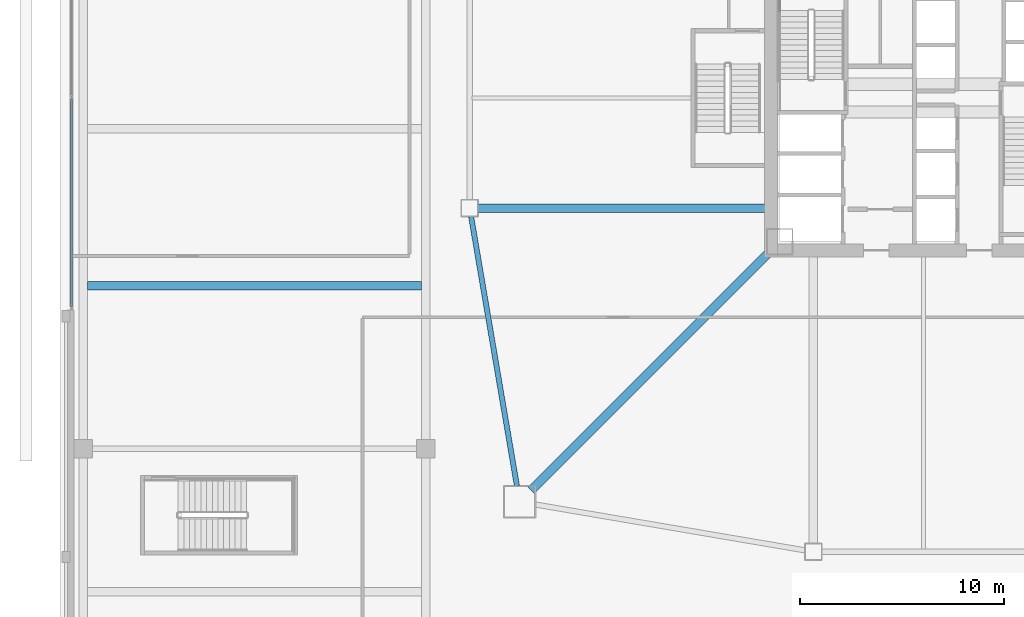
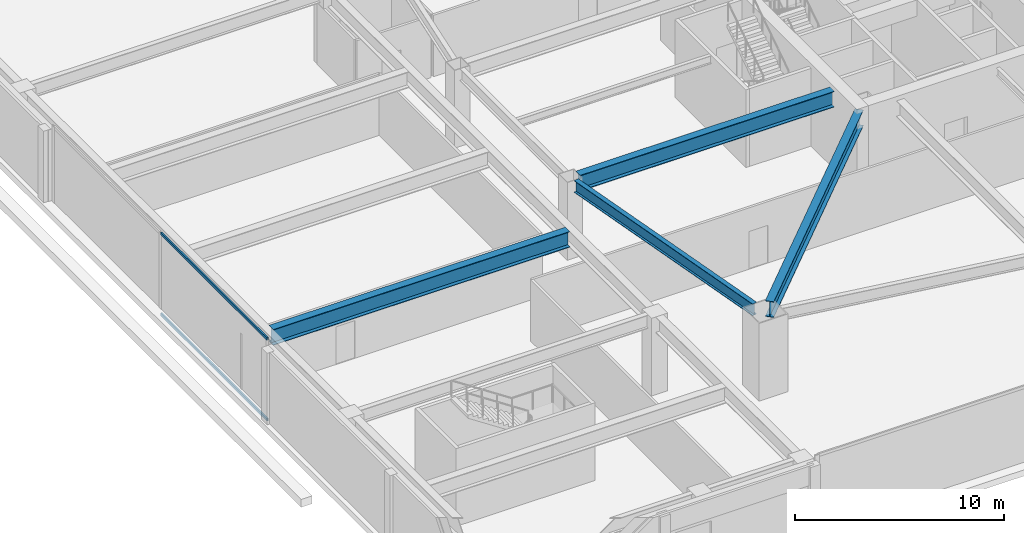
# One storey, part 9 of 44: 4 beams, 2 members, 1 element without a shape of its own.
"""IFC4 building model written with IfcOpenShell, lengths in metres."""

from ifc_helpers import new_model, si_unit, direction, frame, origin, origin_2d, place, context, subcontext, project, spatial, hollow_rectangle, i_section, extrude, material, material_profile, profile_set, type_object, element, aggregate, save


model = new_model("IFC4")

# Units and contexts
model_context = context("Model", 3, precision=1e-05, world=origin(), true_north=direction((0.0, 1.0)))
body_context = subcontext(model_context, "Body", "Model", "MODEL_VIEW")
ifc_project = project(units=[si_unit("LENGTHUNIT", "METRE"), si_unit("AREAUNIT", "SQUARE_METRE"), si_unit("VOLUMEUNIT", "CUBIC_METRE"), si_unit("PLANEANGLEUNIT", "RADIAN"), si_unit("MASSUNIT", "GRAM", prefix="KILO")], contexts=[model_context])

# Site, building, storey
site_placement = place(None, origin())
site = spatial("IfcSite", under=ifc_project, at=site_placement, CompositionType="ELEMENT")
building_placement = place(site_placement, origin())
building = spatial("IfcBuilding", under=site, at=building_placement, Name="Tashvorn Skyway Center", CompositionType="ELEMENT")
storey_placement = place(building_placement, frame((0.0, 0.0, 5.39990234375)))
storey = spatial("IfcBuildingStorey", under=building, at=storey_placement, Name="L01", CompositionType="ELEMENT", Elevation=5.39990234375)

# Beams
ifc_material_1 = material(Name="Steel ASTM A913 Grade 65", Category="steel")
ifc_material_profile_1 = material_profile(ifc_material_1, i_section(OverallWidth=0.4189453125, OverallDepth=0.927001953125, WebThickness=0.019287109375, FlangeThickness=0.031982421875, at=origin_2d()), Name="W36X231")
ifc_profile_set_1 = profile_set([ifc_material_profile_1], Name="Steel ASTM A913 Grade 65")
beam_type_1 = type_object("IfcBeamType", Name="BM-BEAM-W36X231", PredefinedType="BEAM", material=ifc_profile_set_1)
beam_1_placement = place(storey_placement, frame((22.76220703125, 12.76220703125, 4.07666015625), z_axis=(0.707106781187, 0.707106781187, 0.0), x_axis=(-0.707106781187, 0.707106781187, 0.0)))
element("IfcBeam", 1, at=beam_1_placement, inside=storey, type_object=beam_type_1, Name="Tower 1 L01 Primary Floor Girder MC-SW", PredefinedType="BEAM", context=body_context, shape_type="SweptSolid", body=[
    extrude(i_section(OverallWidth=0.4189453125, OverallDepth=0.927001953125, WebThickness=0.019287109375, FlangeThickness=0.031982421875, at=origin_2d()), origin(), (0.0, 0.0, 1.0), 16.591064453125),
])
beam_2_placement = place(storey_placement, frame((20.169921875, 26.60009765625, 4.07666015625), z_axis=(1.0, 0.0, 0.0), x_axis=(0.0, 1.0, 0.0)))
element("IfcBeam", 2, at=beam_2_placement, inside=storey, type_object=beam_type_1, Name="Tower 1 L01 Primary Floor Girder FC-W2", PredefinedType="BEAM", context=body_context, shape_type="SweptSolid", body=[
    extrude(i_section(OverallWidth=0.4189453125, OverallDepth=0.927001953125, WebThickness=0.019287109375, FlangeThickness=0.031982421875, at=origin_2d()), origin(), (0.0, 0.0, 1.0), 14.050048828125),
])
beam_3_placement = place(storey_placement, frame((1.00146484375, 22.800048828125, 4.07666015625), z_axis=(1.0, 0.0, 0.0), x_axis=(0.0, 1.0, 0.0)))
element("IfcBeam", 3, at=beam_3_placement, inside=storey, type_object=beam_type_1, Name="L01 West Auditorium Span Girder 04", PredefinedType="BEAM", context=body_context, shape_type="SweptSolid", body=[
    extrude(i_section(OverallWidth=0.4189453125, OverallDepth=0.927001953125, WebThickness=0.019287109375, FlangeThickness=0.031982421875, at=origin_2d()), origin(), (0.0, 0.0, 1.0), 16.39697265625),
])
ifc_material_2 = material(Name="Steel ASTM A992 Grade 50", Category="steel")
ifc_material_profile_2 = material_profile(ifc_material_2, i_section(OverallWidth=0.256103515625, OverallDepth=0.693115234375, WebThickness=0.014404296875, FlangeThickness=0.023681640625, at=origin_2d()), Name="W27X114")
ifc_profile_set_2 = profile_set([ifc_material_profile_2], Name="Steel ASTM A992 Grade 50")
beam_type_2 = type_object("IfcBeamType", Name="BM-SPANDREL-W27X114", PredefinedType="SPANDREL", material=ifc_profile_set_2)
beam_4_placement = place(storey_placement, frame((19.820556640625, 26.18603515625, 4.193603515625), z_axis=(0.16771792509, -0.985835025551, 0.0), x_axis=(0.985835025551, 0.16771792509, 0.0)))
element("IfcBeam", 4, at=beam_4_placement, inside=storey, type_object=beam_type_2, Name="Tower 1 L01 Spandrel Beam 12", PredefinedType="SPANDREL", context=body_context, shape_type="SweptSolid", body=[
    extrude(i_section(OverallWidth=0.256103515625, OverallDepth=0.693115234375, WebThickness=0.014404296875, FlangeThickness=0.023681640625, at=origin_2d()), origin(), (0.0, 0.0, 1.0), 13.39208984375),
])

# Curtain wall, members
ifc_material_3 = material(Name="Thermally broken bronze-anodized aluminium 6063-T6", Category="aluminium")
curtain_wall_type = type_object("IfcCurtainWallType", Name="CW-CW-Z1", PredefinedType="NOTDEFINED", material=ifc_material_3)
curtain_wall_placement = place(storey_placement, origin())
curtain_wall = element("IfcCurtainWall", 5, at=curtain_wall_placement, inside=storey, type_object=curtain_wall_type, Name="L01 West Station Hall Portal Curtain Wall", PredefinedType="NOTDEFINED")
ifc_material_profile_3 = material_profile(ifc_material_3, hollow_rectangle(XDim=0.0849609375, YDim=0.1650390625, WallThickness=0.0048828125, at=origin_2d()), Name="ALU-TRAN-85x165")
ifc_profile_set_3 = profile_set([ifc_material_profile_3], Name="Thermally broken bronze-anodized aluminium 6063-T6")
member_type = type_object("IfcMemberType", Name="CWT-CW-Z1", PredefinedType="USERDEFINED", material=ifc_profile_set_3)
member_1_placement = place(storey_placement, frame((0.219970703125, 21.784912109375, 0.04248046875), z_axis=(0.0, 1.0, 0.0), x_axis=(-1.0, 0.0, 0.0)))
member_1 = element("IfcMember", 6, at=member_1_placement, type_object=member_type, Name="CW-Z1 transom 1.1", ObjectType="TRANSOM", PredefinedType="USERDEFINED", context=body_context, shape_type="SweptSolid", body=[
    extrude(hollow_rectangle(XDim=0.0849609375, YDim=0.1650390625, WallThickness=0.0048828125, at=origin_2d()), origin(), (0.0, 0.0, 1.0), 10.172607421875),
])
member_2_placement = place(storey_placement, frame((0.219970703125, 21.784912109375, 4.757568359375), z_axis=(0.0, 1.0, 0.0), x_axis=(-1.0, 0.0, 0.0)))
member_2 = element("IfcMember", 7, at=member_2_placement, type_object=member_type, Name="CW-Z1 transom 1.2", ObjectType="TRANSOM", PredefinedType="USERDEFINED", context=body_context, shape_type="SweptSolid", body=[
    extrude(hollow_rectangle(XDim=0.0849609375, YDim=0.1650390625, WallThickness=0.0048828125, at=origin_2d()), origin(), (0.0, 0.0, 1.0), 10.172607421875),
])
aggregate(curtain_wall, [member_1, member_2])

save(model, "model.ifc")
